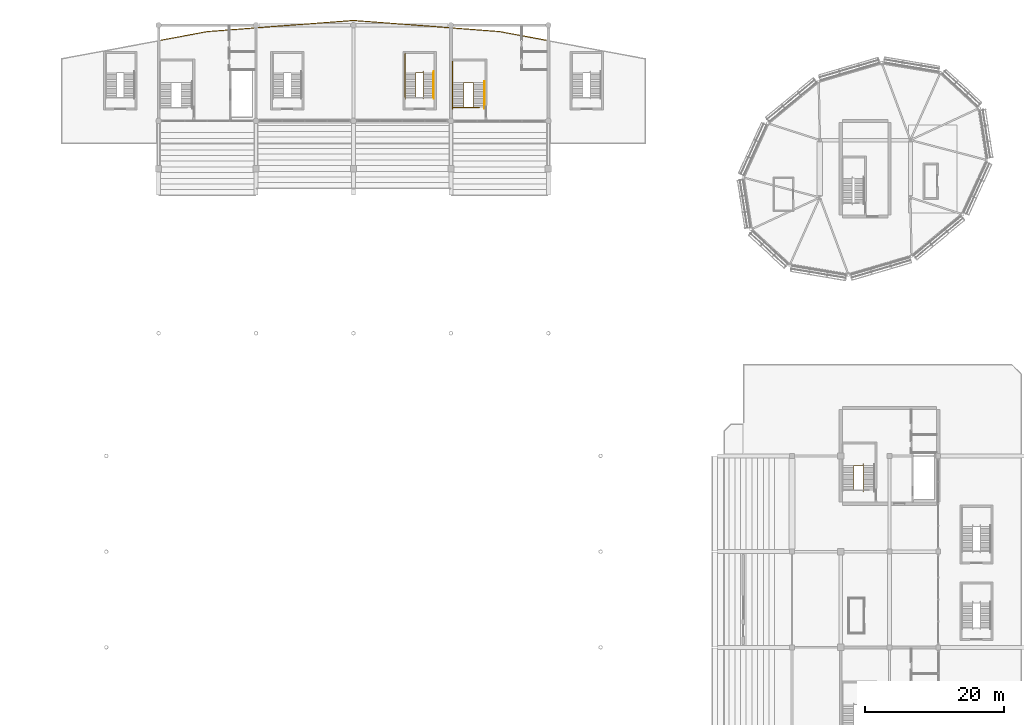
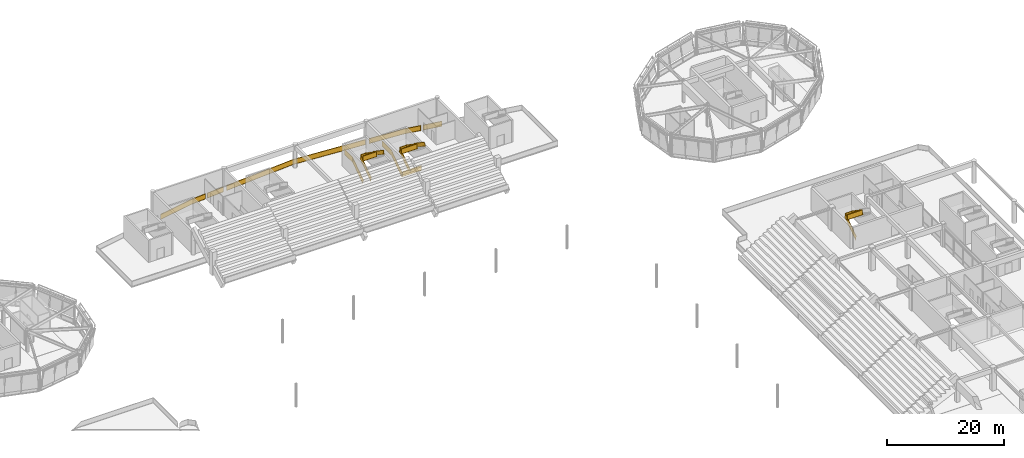
# One storey, part 92 of 94: 13 railings.
"""IFC4 building model written with IfcOpenShell, lengths in metres."""

from ifc_helpers import new_model, si_unit, direction, frame, origin, origin_2d, place, context, subcontext, project, spatial, rectangle, extrude, material, type_object, element, save


model = new_model("IFC4")

# Units and contexts
model_context = context("Model", 3, precision=1e-05, world=origin(), true_north=direction((0.0, 1.0)))
body_context = subcontext(model_context, "Body", "Model", "MODEL_VIEW")
ifc_project = project(units=[si_unit("LENGTHUNIT", "METRE"), si_unit("AREAUNIT", "SQUARE_METRE"), si_unit("VOLUMEUNIT", "CUBIC_METRE"), si_unit("PLANEANGLEUNIT", "RADIAN"), si_unit("MASSUNIT", "GRAM", prefix="KILO")], contexts=[model_context])

# Site, building, storey
site_placement = place(None, origin())
site = spatial("IfcSite", under=ifc_project, at=site_placement, CompositionType="ELEMENT")
building_placement = place(site_placement, origin())
building = spatial("IfcBuilding", under=site, at=building_placement, Name="Linyun Crest Stadium", CompositionType="ELEMENT")
storey_placement = place(building_placement, frame((0.0, 0.0, 16.199951171875)))
storey = spatial("IfcBuildingStorey", under=building, at=storey_placement, Name="L04", CompositionType="ELEMENT", Elevation=16.199951171875)

# Railings
ifc_material_1 = material(Name="Galvanized and powder-coated steel bowl safety barrier", Category="steel")
railing_type_1 = type_object("IfcRailingType", Name="GR02", PredefinedType="GUARDRAIL", material=ifc_material_1)
railing_1_placement = place(storey_placement, frame((-27.68505859375, 103.096923828125, 0.0)))
element("IfcRailing", 1, at=railing_1_placement, inside=storey, type_object=railing_type_1, Name="Slab edge balustrade GR02 215", PredefinedType="GUARDRAIL", context=body_context, shape_type="SweptSolid", body=[
    extrude(rectangle(XDim=0.06005859375, YDim=0.06005859375, at=origin_2d()), frame((0.0, 0.0, 1.090087890625), z_axis=(0.983184596967, 0.182614479947, 0.0), x_axis=(-0.182614479947, 0.983184596967, 0.0)), (0.0, 0.0, 1.0), 6.8076171875),
    extrude(rectangle(XDim=0.030029296875, YDim=1.0, at=origin_2d()), frame((0.0, 0.0, 0.56005859375), z_axis=(0.983184596967, 0.182614479947, 0.0), x_axis=(-0.182614479947, 0.983184596967, 0.0)), (0.0, 0.0, 1.0), 6.8076171875),
    extrude(rectangle(XDim=0.06005859375, YDim=0.06005859375, at=origin_2d()), frame((0.0, 0.0, 0.030029296875), z_axis=(0.983184596967, 0.182614479947, 0.0), x_axis=(-0.182614479947, 0.983184596967, 0.0)), (0.0, 0.0, 1.0), 6.8076171875),
    extrude(rectangle(XDim=0.06005859375, YDim=0.06005859375, at=origin_2d()), frame((6.693115234375, 1.2431640625, 1.090087890625), z_axis=(0.997097308753, 0.076137749365, 0.0), x_axis=(-0.076137749365, 0.997097308753, 0.0)), (0.0, 0.0, 1.0), 2.9404296875),
    extrude(rectangle(XDim=0.030029296875, YDim=1.0, at=origin_2d()), frame((6.693115234375, 1.2431640625, 0.56005859375), z_axis=(0.997097308753, 0.076137749365, 0.0), x_axis=(-0.076137749365, 0.997097308753, 0.0)), (0.0, 0.0, 1.0), 2.9404296875),
    extrude(rectangle(XDim=0.06005859375, YDim=0.06005859375, at=origin_2d()), frame((6.693115234375, 1.2431640625, 0.030029296875), z_axis=(0.997097308753, 0.076137749365, 0.0), x_axis=(-0.076137749365, 0.997097308753, 0.0)), (0.0, 0.0, 1.0), 2.9404296875),
    extrude(rectangle(XDim=0.050048828125, YDim=0.050048828125, at=origin_2d()), origin(), (0.0, 0.0, 1.0), 1.1201171875),
    extrude(rectangle(XDim=0.050048828125, YDim=0.050048828125, at=origin_2d()), frame((3.3466796875, 0.62158203125, 0.0)), (0.0, 0.0, 1.0), 1.1201171875),
    extrude(rectangle(XDim=0.050048828125, YDim=0.050048828125, at=origin_2d()), frame((6.693115234375, 1.2431640625, 0.0)), (0.0, 0.0, 1.0), 1.1201171875),
    extrude(rectangle(XDim=0.050048828125, YDim=0.050048828125, at=origin_2d()), frame((9.625, 1.467041015625, 0.0)), (0.0, 0.0, 1.0), 1.1201171875),
])
railing_2_placement = place(storey_placement, frame((-17.639892578125, 104.595947265625, 0.0)))
element("IfcRailing", 2, at=railing_2_placement, inside=storey, type_object=railing_type_1, Name="Slab edge balustrade GR02 216", PredefinedType="GUARDRAIL", context=body_context, shape_type="SweptSolid", body=[
    extrude(rectangle(XDim=0.06005859375, YDim=0.06005859375, at=origin_2d()), frame((0.0, 0.0, 1.090087890625), z_axis=(0.997113619405, 0.075923843404, 0.0), x_axis=(-0.075923843404, 0.997113619405, 0.0)), (0.0, 0.0, 1.0), 3.33447265625),
    extrude(rectangle(XDim=0.030029296875, YDim=1.0, at=origin_2d()), frame((0.0, 0.0, 0.56005859375), z_axis=(0.997113619405, 0.075923843404, 0.0), x_axis=(-0.075923843404, 0.997113619405, 0.0)), (0.0, 0.0, 1.0), 3.33447265625),
    extrude(rectangle(XDim=0.06005859375, YDim=0.06005859375, at=origin_2d()), frame((0.0, 0.0, 0.030029296875), z_axis=(0.997113619405, 0.075923843404, 0.0), x_axis=(-0.075923843404, 0.997113619405, 0.0)), (0.0, 0.0, 1.0), 3.33447265625),
    extrude(rectangle(XDim=0.050048828125, YDim=0.050048828125, at=origin_2d()), origin(), (0.0, 0.0, 1.0), 1.1201171875),
    extrude(rectangle(XDim=0.050048828125, YDim=0.050048828125, at=origin_2d()), frame((3.324951171875, 0.253173828125, 0.0)), (0.0, 0.0, 1.0), 1.1201171875),
])
railing_3_placement = place(storey_placement, frame((-13.68505859375, 104.89697265625, 0.0)))
element("IfcRailing", 3, at=railing_3_placement, inside=storey, type_object=railing_type_1, Name="Slab edge balustrade GR02 217", PredefinedType="GUARDRAIL", context=body_context, shape_type="SweptSolid", body=[
    extrude(rectangle(XDim=0.06005859375, YDim=0.06005859375, at=origin_2d()), frame((0.0, 0.0, 1.090087890625), z_axis=(0.997108438681, 0.075991851608, 0.0), x_axis=(-0.075991851608, 0.997108438681, 0.0)), (0.0, 0.0, 1.0), 13.724853515625),
    extrude(rectangle(XDim=0.030029296875, YDim=1.0, at=origin_2d()), frame((0.0, 0.0, 0.56005859375), z_axis=(0.997108438681, 0.075991851608, 0.0), x_axis=(-0.075991851608, 0.997108438681, 0.0)), (0.0, 0.0, 1.0), 13.724853515625),
    extrude(rectangle(XDim=0.06005859375, YDim=0.06005859375, at=origin_2d()), frame((0.0, 0.0, 0.030029296875), z_axis=(0.997108438681, 0.075991851608, 0.0), x_axis=(-0.075991851608, 0.997108438681, 0.0)), (0.0, 0.0, 1.0), 13.724853515625),
    extrude(rectangle(XDim=0.06005859375, YDim=0.06005859375, at=origin_2d()), frame((13.68505859375, 1.04296875, 1.090087890625), z_axis=(0.997108641419, -0.075989191382, 0.0), x_axis=(0.075989191382, 0.997108641419, 0.0)), (0.0, 0.0, 1.0), 13.699462890625),
    extrude(rectangle(XDim=0.030029296875, YDim=1.0, at=origin_2d()), frame((13.68505859375, 1.04296875, 0.56005859375), z_axis=(0.997108641419, -0.075989191382, 0.0), x_axis=(0.075989191382, 0.997108641419, 0.0)), (0.0, 0.0, 1.0), 13.699462890625),
    extrude(rectangle(XDim=0.06005859375, YDim=0.06005859375, at=origin_2d()), frame((13.68505859375, 1.04296875, 0.030029296875), z_axis=(0.997108641419, -0.075989191382, 0.0), x_axis=(0.075989191382, 0.997108641419, 0.0)), (0.0, 0.0, 1.0), 13.699462890625),
    extrude(rectangle(XDim=0.050048828125, YDim=0.050048828125, at=origin_2d()), origin(), (0.0, 0.0, 1.0), 1.1201171875),
    extrude(rectangle(XDim=0.050048828125, YDim=0.050048828125, at=origin_2d()), frame((4.561767578125, 0.34765625, 0.0)), (0.0, 0.0, 1.0), 1.1201171875),
    extrude(rectangle(XDim=0.050048828125, YDim=0.050048828125, at=origin_2d()), frame((9.123291015625, 0.6953125, 0.0)), (0.0, 0.0, 1.0), 1.1201171875),
    extrude(rectangle(XDim=0.050048828125, YDim=0.050048828125, at=origin_2d()), frame((13.68505859375, 1.04296875, 0.0)), (0.0, 0.0, 1.0), 1.1201171875),
    extrude(rectangle(XDim=0.050048828125, YDim=0.050048828125, at=origin_2d()), frame((18.23828125, 0.696044921875, 0.0)), (0.0, 0.0, 1.0), 1.1201171875),
    extrude(rectangle(XDim=0.050048828125, YDim=0.050048828125, at=origin_2d()), frame((22.791748046875, 0.348876953125, 0.0)), (0.0, 0.0, 1.0), 1.1201171875),
    extrude(rectangle(XDim=0.050048828125, YDim=0.050048828125, at=origin_2d()), frame((27.344970703125, 0.001953125, 0.0)), (0.0, 0.0, 1.0), 1.1201171875),
])
railing_4_placement = place(storey_placement, frame((14.340087890625, 104.846923828125, 0.0)))
element("IfcRailing", 4, at=railing_4_placement, inside=storey, type_object=railing_type_1, Name="Slab edge balustrade GR02 218", PredefinedType="GUARDRAIL", context=body_context, shape_type="SweptSolid", body=[
    extrude(rectangle(XDim=0.06005859375, YDim=0.06005859375, at=origin_2d()), frame((0.0, 0.0, 1.090087890625), z_axis=(0.997109764724, -0.075974450252, 0.0), x_axis=(0.075974450252, 0.997109764724, 0.0)), (0.0, 0.0, 1.0), 6.671142578125),
    extrude(rectangle(XDim=0.030029296875, YDim=1.0, at=origin_2d()), frame((0.0, 0.0, 0.56005859375), z_axis=(0.997109764724, -0.075974450252, 0.0), x_axis=(0.075974450252, 0.997109764724, 0.0)), (0.0, 0.0, 1.0), 6.671142578125),
    extrude(rectangle(XDim=0.06005859375, YDim=0.06005859375, at=origin_2d()), frame((0.0, 0.0, 0.030029296875), z_axis=(0.997109764724, -0.075974450252, 0.0), x_axis=(0.075974450252, 0.997109764724, 0.0)), (0.0, 0.0, 1.0), 6.671142578125),
    extrude(rectangle(XDim=0.06005859375, YDim=0.06005859375, at=origin_2d()), frame((6.65185546875, -0.5068359375, 1.090087890625), z_axis=(0.983210655512, -0.182474126625, 0.0), x_axis=(0.182474126625, 0.983210655512, 0.0)), (0.0, 0.0, 1.0), 2.998291015625),
    extrude(rectangle(XDim=0.030029296875, YDim=1.0, at=origin_2d()), frame((6.65185546875, -0.5068359375, 0.56005859375), z_axis=(0.983210655512, -0.182474126625, 0.0), x_axis=(0.182474126625, 0.983210655512, 0.0)), (0.0, 0.0, 1.0), 2.998291015625),
    extrude(rectangle(XDim=0.06005859375, YDim=0.06005859375, at=origin_2d()), frame((6.65185546875, -0.5068359375, 0.030029296875), z_axis=(0.983210655512, -0.182474126625, 0.0), x_axis=(0.182474126625, 0.983210655512, 0.0)), (0.0, 0.0, 1.0), 2.998291015625),
    extrude(rectangle(XDim=0.050048828125, YDim=0.050048828125, at=origin_2d()), origin(), (0.0, 0.0, 1.0), 1.1201171875),
    extrude(rectangle(XDim=0.050048828125, YDim=0.050048828125, at=origin_2d()), frame((3.325927734375, -0.25341796875, 0.0)), (0.0, 0.0, 1.0), 1.1201171875),
    extrude(rectangle(XDim=0.050048828125, YDim=0.050048828125, at=origin_2d()), frame((6.65185546875, -0.5068359375, 0.0)), (0.0, 0.0, 1.0), 1.1201171875),
    extrude(rectangle(XDim=0.050048828125, YDim=0.050048828125, at=origin_2d()), frame((9.599853515625, -1.053955078125, 0.0)), (0.0, 0.0, 1.0), 1.1201171875),
])
railing_5_placement = place(storey_placement, frame((24.360107421875, 103.715087890625, 0.0)))
element("IfcRailing", 5, at=railing_5_placement, inside=storey, type_object=railing_type_1, Name="Slab edge balustrade GR02 219", PredefinedType="GUARDRAIL", context=body_context, shape_type="SweptSolid", body=[
    extrude(rectangle(XDim=0.06005859375, YDim=0.06005859375, at=origin_2d()), frame((0.0, 0.0, 1.090087890625), z_axis=(0.983177167753, -0.182654473826, 0.0), x_axis=(0.182654473826, 0.983177167753, 0.0)), (0.0, 0.0, 1.0), 3.356201171875),
    extrude(rectangle(XDim=0.030029296875, YDim=1.0, at=origin_2d()), frame((0.0, 0.0, 0.56005859375), z_axis=(0.983177167753, -0.182654473826, 0.0), x_axis=(0.182654473826, 0.983177167753, 0.0)), (0.0, 0.0, 1.0), 3.356201171875),
    extrude(rectangle(XDim=0.06005859375, YDim=0.06005859375, at=origin_2d()), frame((0.0, 0.0, 0.030029296875), z_axis=(0.983177167753, -0.182654473826, 0.0), x_axis=(0.182654473826, 0.983177167753, 0.0)), (0.0, 0.0, 1.0), 3.356201171875),
    extrude(rectangle(XDim=0.050048828125, YDim=0.050048828125, at=origin_2d()), origin(), (0.0, 0.0, 1.0), 1.1201171875),
    extrude(rectangle(XDim=0.050048828125, YDim=0.050048828125, at=origin_2d()), frame((3.2998046875, -0.613037109375, 0.0)), (0.0, 0.0, 1.0), 1.1201171875),
])
railing_6_placement = place(storey_placement, frame((14.340087890625, 93.4599609375, 0.0)))
element("IfcRailing", 6, at=railing_6_placement, inside=storey, type_object=railing_type_1, Name="Slab edge balustrade GR02 223", PredefinedType="GUARDRAIL", context=body_context, shape_type="SweptSolid", body=[
    extrude(rectangle(XDim=0.06005859375, YDim=0.06005859375, at=origin_2d()), frame((0.0, 0.0, 1.090087890625), z_axis=(1.0, 0.0, 0.0), x_axis=(0.0, 1.0, 0.0)), (0.0, 0.0, 1.0), 3.760009765625),
    extrude(rectangle(XDim=0.030029296875, YDim=1.0, at=origin_2d()), frame((0.0, 0.0, 0.56005859375), z_axis=(1.0, 0.0, 0.0), x_axis=(0.0, 1.0, 0.0)), (0.0, 0.0, 1.0), 3.760009765625),
    extrude(rectangle(XDim=0.06005859375, YDim=0.06005859375, at=origin_2d()), frame((0.0, 0.0, 0.030029296875), z_axis=(1.0, 0.0, 0.0), x_axis=(0.0, 1.0, 0.0)), (0.0, 0.0, 1.0), 3.760009765625),
    extrude(rectangle(XDim=0.050048828125, YDim=0.050048828125, at=origin_2d()), origin(), (0.0, 0.0, 1.0), 1.1201171875),
    extrude(rectangle(XDim=0.050048828125, YDim=0.050048828125, at=origin_2d()), frame((3.760009765625, 0.0, 0.0)), (0.0, 0.0, 1.0), 1.1201171875),
])
ifc_material_2 = material(Name="Painted steel stairwell safety guard", Category="steel")
railing_type_2 = type_object("IfcRailingType", Name="GR03", PredefinedType="GUARDRAIL", material=ifc_material_2)
railing_7_placement = place(storey_placement, frame((71.89501953125, 38.469970703125, 0.0)))
element("IfcRailing", 7, at=railing_7_placement, inside=storey, type_object=railing_type_2, Name="STR-06-L04 inner well guard", PredefinedType="GUARDRAIL", context=body_context, shape_type="SweptSolid", body=[
    extrude(rectangle(XDim=0.06005859375, YDim=0.06005859375, at=origin_2d()), frame((0.0, 0.0, 1.090087890625), z_axis=(0.0, 0.826212794201, 0.563358162005), x_axis=(-1.0, 0.0, 0.0)), (0.0, 0.0, 1.0), 4.260498046875),
    extrude(rectangle(XDim=0.030029296875, YDim=1.0, at=origin_2d()), frame((0.0, 0.0, 0.56005859375), z_axis=(0.0, 0.826212794201, 0.563358162005), x_axis=(-1.0, 0.0, 0.0)), (0.0, 0.0, 1.0), 4.260498046875),
    extrude(rectangle(XDim=0.06005859375, YDim=0.06005859375, at=origin_2d()), frame((0.0, 0.0, 0.030029296875), z_axis=(0.0, 0.826212794201, 0.563358162005), x_axis=(-1.0, 0.0, 0.0)), (0.0, 0.0, 1.0), 4.260498046875),
    extrude(rectangle(XDim=0.06005859375, YDim=0.06005859375, at=origin_2d()), frame((0.0, 3.52001953125, 3.490234375), z_axis=(1.0, 0.0, 0.0), x_axis=(0.0, 1.0, 0.0)), (0.0, 0.0, 1.0), 1.3349609375),
    extrude(rectangle(XDim=0.030029296875, YDim=1.0, at=origin_2d()), frame((0.0, 3.52001953125, 2.960205078125), z_axis=(1.0, 0.0, 0.0), x_axis=(0.0, 1.0, 0.0)), (0.0, 0.0, 1.0), 1.3349609375),
    extrude(rectangle(XDim=0.06005859375, YDim=0.06005859375, at=origin_2d()), frame((0.0, 3.52001953125, 2.43017578125), z_axis=(1.0, 0.0, 0.0), x_axis=(0.0, 1.0, 0.0)), (0.0, 0.0, 1.0), 1.3349609375),
    extrude(rectangle(XDim=0.06005859375, YDim=0.06005859375, at=origin_2d()), frame((1.3349609375, 3.52001953125, 3.490234375), z_axis=(0.0, -0.826239466617, 0.563319042644), x_axis=(1.0, 0.0, 0.0)), (0.0, 0.0, 1.0), 4.26025390625),
    extrude(rectangle(XDim=0.030029296875, YDim=1.0, at=origin_2d()), frame((1.3349609375, 3.52001953125, 2.960205078125), z_axis=(0.0, -0.826239466617, 0.563319042644), x_axis=(1.0, 0.0, 0.0)), (0.0, 0.0, 1.0), 4.26025390625),
    extrude(rectangle(XDim=0.06005859375, YDim=0.06005859375, at=origin_2d()), frame((1.3349609375, 3.52001953125, 2.43017578125), z_axis=(0.0, -0.826239466617, 0.563319042644), x_axis=(1.0, 0.0, 0.0)), (0.0, 0.0, 1.0), 4.26025390625),
    extrude(rectangle(XDim=0.06005859375, YDim=0.06005859375, at=origin_2d()), frame((1.3349609375, 0.0, 5.89013671875), z_axis=(-1.0, 0.0, 0.0), x_axis=(0.0, -1.0, 0.0)), (0.0, 0.0, 1.0), 2.98486328125),
    extrude(rectangle(XDim=0.030029296875, YDim=1.0, at=origin_2d()), frame((1.3349609375, 0.0, 5.360107421875), z_axis=(-1.0, 0.0, 0.0), x_axis=(0.0, -1.0, 0.0)), (0.0, 0.0, 1.0), 2.98486328125),
    extrude(rectangle(XDim=0.06005859375, YDim=0.06005859375, at=origin_2d()), frame((1.3349609375, 0.0, 4.830078125), z_axis=(-1.0, 0.0, 0.0), x_axis=(0.0, -1.0, 0.0)), (0.0, 0.0, 1.0), 2.98486328125),
    extrude(rectangle(XDim=0.050048828125, YDim=0.050048828125, at=origin_2d()), origin(), (0.0, 0.0, 1.0), 1.1201171875),
    extrude(rectangle(XDim=0.050048828125, YDim=0.050048828125, at=origin_2d()), frame((0.0, 1.17333984375, 0.800048828125)), (0.0, 0.0, 1.0), 1.1201171875),
    extrude(rectangle(XDim=0.050048828125, YDim=0.050048828125, at=origin_2d()), frame((0.0, 2.3466796875, 1.60009765625)), (0.0, 0.0, 1.0), 1.1201171875),
    extrude(rectangle(XDim=0.050048828125, YDim=0.050048828125, at=origin_2d()), frame((0.0, 3.52001953125, 2.400146484375)), (0.0, 0.0, 1.0), 1.1201171875),
    extrude(rectangle(XDim=0.050048828125, YDim=0.050048828125, at=origin_2d()), frame((1.3349609375, 3.52001953125, 2.400146484375)), (0.0, 0.0, 1.0), 1.1201171875),
    extrude(rectangle(XDim=0.050048828125, YDim=0.050048828125, at=origin_2d()), frame((1.3349609375, 2.3466796875, 3.2001953125)), (0.0, 0.0, 1.0), 1.1201171875),
    extrude(rectangle(XDim=0.050048828125, YDim=0.050048828125, at=origin_2d()), frame((1.3349609375, 1.17333984375, 4.0)), (0.0, 0.0, 1.0), 1.1201171875),
    extrude(rectangle(XDim=0.050048828125, YDim=0.050048828125, at=origin_2d()), frame((1.3349609375, 0.0, 4.800048828125)), (0.0, 0.0, 1.0), 1.1201171875),
    extrude(rectangle(XDim=0.050048828125, YDim=0.050048828125, at=origin_2d()), frame((-0.157470703125, 0.0, 4.800048828125)), (0.0, 0.0, 1.0), 1.1201171875),
    extrude(rectangle(XDim=0.050048828125, YDim=0.050048828125, at=origin_2d()), frame((-1.64990234375, 0.0, 4.800048828125)), (0.0, 0.0, 1.0), 1.1201171875),
])
railing_8_placement = place(storey_placement, frame((14.22998046875, 93.489990234375, 0.0)))
element("IfcRailing", 8, at=railing_8_placement, inside=storey, type_object=railing_type_2, Name="STR-08-L04 outer guard", PredefinedType="GUARDRAIL", context=body_context, shape_type="SweptSolid", body=[
    extrude(rectangle(XDim=0.06005859375, YDim=0.06005859375, at=origin_2d()), frame((0.0, 0.0, 1.090087890625), z_axis=(0.0, 0.824712752785, 0.565551832633), x_axis=(-1.0, 0.0, 0.0)), (0.0, 0.0, 1.0), 4.243896484375),
    extrude(rectangle(XDim=0.030029296875, YDim=1.0, at=origin_2d()), frame((0.0, 0.0, 0.56005859375), z_axis=(0.0, 0.824712752785, 0.565551832633), x_axis=(-1.0, 0.0, 0.0)), (0.0, 0.0, 1.0), 4.243896484375),
    extrude(rectangle(XDim=0.06005859375, YDim=0.06005859375, at=origin_2d()), frame((0.0, 0.0, 0.030029296875), z_axis=(0.0, 0.824712752785, 0.565551832633), x_axis=(-1.0, 0.0, 0.0)), (0.0, 0.0, 1.0), 4.243896484375),
    extrude(rectangle(XDim=0.06005859375, YDim=0.06005859375, at=origin_2d()), frame((0.0, 3.5, 3.490234375), z_axis=(0.0, 1.0, 0.0), x_axis=(-1.0, 0.0, 0.0)), (0.0, 0.0, 1.0), 3.080078125),
    extrude(rectangle(XDim=0.030029296875, YDim=1.0, at=origin_2d()), frame((0.0, 3.5, 2.960205078125), z_axis=(0.0, 1.0, 0.0), x_axis=(-1.0, 0.0, 0.0)), (0.0, 0.0, 1.0), 3.080078125),
    extrude(rectangle(XDim=0.06005859375, YDim=0.06005859375, at=origin_2d()), frame((0.0, 3.5, 2.43017578125), z_axis=(0.0, 1.0, 0.0), x_axis=(-1.0, 0.0, 0.0)), (0.0, 0.0, 1.0), 3.080078125),
    extrude(rectangle(XDim=0.050048828125, YDim=0.050048828125, at=origin_2d()), origin(), (0.0, 0.0, 1.0), 1.1201171875),
    extrude(rectangle(XDim=0.050048828125, YDim=0.050048828125, at=origin_2d()), frame((0.0, 1.166748046875, 0.800048828125)), (0.0, 0.0, 1.0), 1.1201171875),
    extrude(rectangle(XDim=0.050048828125, YDim=0.050048828125, at=origin_2d()), frame((0.0, 2.333251953125, 1.60009765625)), (0.0, 0.0, 1.0), 1.1201171875),
    extrude(rectangle(XDim=0.050048828125, YDim=0.050048828125, at=origin_2d()), frame((0.0, 3.5, 2.400146484375)), (0.0, 0.0, 1.0), 1.1201171875),
    extrude(rectangle(XDim=0.050048828125, YDim=0.050048828125, at=origin_2d()), frame((0.0, 5.0400390625, 2.400146484375)), (0.0, 0.0, 1.0), 1.1201171875),
    extrude(rectangle(XDim=0.050048828125, YDim=0.050048828125, at=origin_2d()), frame((0.0, 6.580078125, 2.400146484375)), (0.0, 0.0, 1.0), 1.1201171875),
])
railing_9_placement = place(storey_placement, frame((15.8701171875, 93.469970703125, 0.0)))
element("IfcRailing", 9, at=railing_9_placement, inside=storey, type_object=railing_type_2, Name="STR-08-L04 inner well guard", PredefinedType="GUARDRAIL", context=body_context, shape_type="SweptSolid", body=[
    extrude(rectangle(XDim=0.06005859375, YDim=0.06005859375, at=origin_2d()), frame((0.0, 0.0, 1.090087890625), z_axis=(0.0, 0.826212794201, 0.563358162005), x_axis=(-1.0, 0.0, 0.0)), (0.0, 0.0, 1.0), 4.260498046875),
    extrude(rectangle(XDim=0.030029296875, YDim=1.0, at=origin_2d()), frame((0.0, 0.0, 0.56005859375), z_axis=(0.0, 0.826212794201, 0.563358162005), x_axis=(-1.0, 0.0, 0.0)), (0.0, 0.0, 1.0), 4.260498046875),
    extrude(rectangle(XDim=0.06005859375, YDim=0.06005859375, at=origin_2d()), frame((0.0, 0.0, 0.030029296875), z_axis=(0.0, 0.826212794201, 0.563358162005), x_axis=(-1.0, 0.0, 0.0)), (0.0, 0.0, 1.0), 4.260498046875),
    extrude(rectangle(XDim=0.06005859375, YDim=0.06005859375, at=origin_2d()), frame((0.0, 3.52001953125, 3.490234375), z_axis=(1.0, 0.0, 0.0), x_axis=(0.0, 1.0, 0.0)), (0.0, 0.0, 1.0), 1.35986328125),
    extrude(rectangle(XDim=0.030029296875, YDim=1.0, at=origin_2d()), frame((0.0, 3.52001953125, 2.960205078125), z_axis=(1.0, 0.0, 0.0), x_axis=(0.0, 1.0, 0.0)), (0.0, 0.0, 1.0), 1.35986328125),
    extrude(rectangle(XDim=0.06005859375, YDim=0.06005859375, at=origin_2d()), frame((0.0, 3.52001953125, 2.43017578125), z_axis=(1.0, 0.0, 0.0), x_axis=(0.0, 1.0, 0.0)), (0.0, 0.0, 1.0), 1.35986328125),
    extrude(rectangle(XDim=0.06005859375, YDim=0.06005859375, at=origin_2d()), frame((1.35986328125, 3.52001953125, 3.490234375), z_axis=(0.0, -0.826239466617, 0.563319042644), x_axis=(1.0, 0.0, 0.0)), (0.0, 0.0, 1.0), 4.26025390625),
    extrude(rectangle(XDim=0.030029296875, YDim=1.0, at=origin_2d()), frame((1.35986328125, 3.52001953125, 2.960205078125), z_axis=(0.0, -0.826239466617, 0.563319042644), x_axis=(1.0, 0.0, 0.0)), (0.0, 0.0, 1.0), 4.26025390625),
    extrude(rectangle(XDim=0.06005859375, YDim=0.06005859375, at=origin_2d()), frame((1.35986328125, 3.52001953125, 2.43017578125), z_axis=(0.0, -0.826239466617, 0.563319042644), x_axis=(1.0, 0.0, 0.0)), (0.0, 0.0, 1.0), 4.26025390625),
    extrude(rectangle(XDim=0.06005859375, YDim=0.06005859375, at=origin_2d()), frame((1.35986328125, 0.0, 5.89013671875), z_axis=(-1.0, 0.0, 0.0), x_axis=(0.0, -1.0, 0.0)), (0.0, 0.0, 1.0), 3.010009765625),
    extrude(rectangle(XDim=0.030029296875, YDim=1.0, at=origin_2d()), frame((1.35986328125, 0.0, 5.360107421875), z_axis=(-1.0, 0.0, 0.0), x_axis=(0.0, -1.0, 0.0)), (0.0, 0.0, 1.0), 3.010009765625),
    extrude(rectangle(XDim=0.06005859375, YDim=0.06005859375, at=origin_2d()), frame((1.35986328125, 0.0, 4.830078125), z_axis=(-1.0, 0.0, 0.0), x_axis=(0.0, -1.0, 0.0)), (0.0, 0.0, 1.0), 3.010009765625),
    extrude(rectangle(XDim=0.050048828125, YDim=0.050048828125, at=origin_2d()), origin(), (0.0, 0.0, 1.0), 1.1201171875),
    extrude(rectangle(XDim=0.050048828125, YDim=0.050048828125, at=origin_2d()), frame((0.0, 1.17333984375, 0.800048828125)), (0.0, 0.0, 1.0), 1.1201171875),
    extrude(rectangle(XDim=0.050048828125, YDim=0.050048828125, at=origin_2d()), frame((0.0, 2.3466796875, 1.60009765625)), (0.0, 0.0, 1.0), 1.1201171875),
    extrude(rectangle(XDim=0.050048828125, YDim=0.050048828125, at=origin_2d()), frame((0.0, 3.52001953125, 2.400146484375)), (0.0, 0.0, 1.0), 1.1201171875),
    extrude(rectangle(XDim=0.050048828125, YDim=0.050048828125, at=origin_2d()), frame((1.35986328125, 3.52001953125, 2.400146484375)), (0.0, 0.0, 1.0), 1.1201171875),
    extrude(rectangle(XDim=0.050048828125, YDim=0.050048828125, at=origin_2d()), frame((1.35986328125, 2.3466796875, 3.2001953125)), (0.0, 0.0, 1.0), 1.1201171875),
    extrude(rectangle(XDim=0.050048828125, YDim=0.050048828125, at=origin_2d()), frame((1.35986328125, 1.17333984375, 4.0)), (0.0, 0.0, 1.0), 1.1201171875),
    extrude(rectangle(XDim=0.050048828125, YDim=0.050048828125, at=origin_2d()), frame((1.35986328125, 0.0, 4.800048828125)), (0.0, 0.0, 1.0), 1.1201171875),
    extrude(rectangle(XDim=0.050048828125, YDim=0.050048828125, at=origin_2d()), frame((-0.14501953125, 0.0, 4.800048828125)), (0.0, 0.0, 1.0), 1.1201171875),
    extrude(rectangle(XDim=0.050048828125, YDim=0.050048828125, at=origin_2d()), frame((-1.650146484375, 0.0, 4.800048828125)), (0.0, 0.0, 1.0), 1.1201171875),
])
railing_10_placement = place(storey_placement, frame((7.429931640625, 94.919921875, 0.0)))
element("IfcRailing", 10, at=railing_10_placement, inside=storey, type_object=railing_type_2, Name="STR-25-L04 outer guard", PredefinedType="GUARDRAIL", context=body_context, shape_type="SweptSolid", body=[
    extrude(rectangle(XDim=0.06005859375, YDim=0.06005859375, at=origin_2d()), frame((0.0, 0.0, 1.090087890625), z_axis=(0.0, 0.824712752785, 0.565551832633), x_axis=(-1.0, 0.0, 0.0)), (0.0, 0.0, 1.0), 4.243896484375),
    extrude(rectangle(XDim=0.030029296875, YDim=1.0, at=origin_2d()), frame((0.0, 0.0, 0.56005859375), z_axis=(0.0, 0.824712752785, 0.565551832633), x_axis=(-1.0, 0.0, 0.0)), (0.0, 0.0, 1.0), 4.243896484375),
    extrude(rectangle(XDim=0.06005859375, YDim=0.06005859375, at=origin_2d()), frame((0.0, 0.0, 0.030029296875), z_axis=(0.0, 0.824712752785, 0.565551832633), x_axis=(-1.0, 0.0, 0.0)), (0.0, 0.0, 1.0), 4.243896484375),
    extrude(rectangle(XDim=0.06005859375, YDim=0.06005859375, at=origin_2d()), frame((0.0, 3.5, 3.490234375), z_axis=(0.0, 1.0, 0.0), x_axis=(-1.0, 0.0, 0.0)), (0.0, 0.0, 1.0), 2.75),
    extrude(rectangle(XDim=0.030029296875, YDim=1.0, at=origin_2d()), frame((0.0, 3.5, 2.960205078125), z_axis=(0.0, 1.0, 0.0), x_axis=(-1.0, 0.0, 0.0)), (0.0, 0.0, 1.0), 2.75),
    extrude(rectangle(XDim=0.06005859375, YDim=0.06005859375, at=origin_2d()), frame((0.0, 3.5, 2.43017578125), z_axis=(0.0, 1.0, 0.0), x_axis=(-1.0, 0.0, 0.0)), (0.0, 0.0, 1.0), 2.75),
    extrude(rectangle(XDim=0.050048828125, YDim=0.050048828125, at=origin_2d()), origin(), (0.0, 0.0, 1.0), 1.1201171875),
    extrude(rectangle(XDim=0.050048828125, YDim=0.050048828125, at=origin_2d()), frame((0.0, 1.166748046875, 0.800048828125)), (0.0, 0.0, 1.0), 1.1201171875),
    extrude(rectangle(XDim=0.050048828125, YDim=0.050048828125, at=origin_2d()), frame((0.0, 2.333251953125, 1.60009765625)), (0.0, 0.0, 1.0), 1.1201171875),
    extrude(rectangle(XDim=0.050048828125, YDim=0.050048828125, at=origin_2d()), frame((0.0, 3.5, 2.400146484375)), (0.0, 0.0, 1.0), 1.1201171875),
    extrude(rectangle(XDim=0.050048828125, YDim=0.050048828125, at=origin_2d()), frame((0.0, 4.875, 2.400146484375)), (0.0, 0.0, 1.0), 1.1201171875),
    extrude(rectangle(XDim=0.050048828125, YDim=0.050048828125, at=origin_2d()), frame((0.0, 6.25, 2.400146484375)), (0.0, 0.0, 1.0), 1.1201171875),
])
railing_11_placement = place(storey_placement, frame((8.969970703125, 94.89990234375, 0.0)))
element("IfcRailing", 11, at=railing_11_placement, inside=storey, type_object=railing_type_2, Name="STR-25-L04 inner well guard", PredefinedType="GUARDRAIL", context=body_context, shape_type="SweptSolid", body=[
    extrude(rectangle(XDim=0.06005859375, YDim=0.06005859375, at=origin_2d()), frame((0.0, 0.0, 1.090087890625), z_axis=(0.0, 0.826212794201, 0.563358162005), x_axis=(-1.0, 0.0, 0.0)), (0.0, 0.0, 1.0), 4.260498046875),
    extrude(rectangle(XDim=0.030029296875, YDim=1.0, at=origin_2d()), frame((0.0, 0.0, 0.56005859375), z_axis=(0.0, 0.826212794201, 0.563358162005), x_axis=(-1.0, 0.0, 0.0)), (0.0, 0.0, 1.0), 4.260498046875),
    extrude(rectangle(XDim=0.06005859375, YDim=0.06005859375, at=origin_2d()), frame((0.0, 0.0, 0.030029296875), z_axis=(0.0, 0.826212794201, 0.563358162005), x_axis=(-1.0, 0.0, 0.0)), (0.0, 0.0, 1.0), 4.260498046875),
    extrude(rectangle(XDim=0.06005859375, YDim=0.06005859375, at=origin_2d()), frame((0.0, 3.52001953125, 3.490234375), z_axis=(1.0, 0.0, 0.0), x_axis=(0.0, 1.0, 0.0)), (0.0, 0.0, 1.0), 1.06005859375),
    extrude(rectangle(XDim=0.030029296875, YDim=1.0, at=origin_2d()), frame((0.0, 3.52001953125, 2.960205078125), z_axis=(1.0, 0.0, 0.0), x_axis=(0.0, 1.0, 0.0)), (0.0, 0.0, 1.0), 1.06005859375),
    extrude(rectangle(XDim=0.06005859375, YDim=0.06005859375, at=origin_2d()), frame((0.0, 3.52001953125, 2.43017578125), z_axis=(1.0, 0.0, 0.0), x_axis=(0.0, 1.0, 0.0)), (0.0, 0.0, 1.0), 1.06005859375),
    extrude(rectangle(XDim=0.06005859375, YDim=0.06005859375, at=origin_2d()), frame((1.06005859375, 3.52001953125, 3.490234375), z_axis=(0.0, -0.826239466617, 0.563319042644), x_axis=(1.0, 0.0, 0.0)), (0.0, 0.0, 1.0), 4.26025390625),
    extrude(rectangle(XDim=0.030029296875, YDim=1.0, at=origin_2d()), frame((1.06005859375, 3.52001953125, 2.960205078125), z_axis=(0.0, -0.826239466617, 0.563319042644), x_axis=(1.0, 0.0, 0.0)), (0.0, 0.0, 1.0), 4.26025390625),
    extrude(rectangle(XDim=0.06005859375, YDim=0.06005859375, at=origin_2d()), frame((1.06005859375, 3.52001953125, 2.43017578125), z_axis=(0.0, -0.826239466617, 0.563319042644), x_axis=(1.0, 0.0, 0.0)), (0.0, 0.0, 1.0), 4.26025390625),
    extrude(rectangle(XDim=0.06005859375, YDim=0.06005859375, at=origin_2d()), frame((1.06005859375, 0.0, 5.89013671875), z_axis=(-1.0, 0.0, 0.0), x_axis=(0.0, -1.0, 0.0)), (0.0, 0.0, 1.0), 2.610107421875),
    extrude(rectangle(XDim=0.030029296875, YDim=1.0, at=origin_2d()), frame((1.06005859375, 0.0, 5.360107421875), z_axis=(-1.0, 0.0, 0.0), x_axis=(0.0, -1.0, 0.0)), (0.0, 0.0, 1.0), 2.610107421875),
    extrude(rectangle(XDim=0.06005859375, YDim=0.06005859375, at=origin_2d()), frame((1.06005859375, 0.0, 4.830078125), z_axis=(-1.0, 0.0, 0.0), x_axis=(0.0, -1.0, 0.0)), (0.0, 0.0, 1.0), 2.610107421875),
    extrude(rectangle(XDim=0.050048828125, YDim=0.050048828125, at=origin_2d()), origin(), (0.0, 0.0, 1.0), 1.1201171875),
    extrude(rectangle(XDim=0.050048828125, YDim=0.050048828125, at=origin_2d()), frame((0.0, 1.17333984375, 0.800048828125)), (0.0, 0.0, 1.0), 1.1201171875),
    extrude(rectangle(XDim=0.050048828125, YDim=0.050048828125, at=origin_2d()), frame((0.0, 2.3466796875, 1.60009765625)), (0.0, 0.0, 1.0), 1.1201171875),
    extrude(rectangle(XDim=0.050048828125, YDim=0.050048828125, at=origin_2d()), frame((0.0, 3.52001953125, 2.400146484375)), (0.0, 0.0, 1.0), 1.1201171875),
    extrude(rectangle(XDim=0.050048828125, YDim=0.050048828125, at=origin_2d()), frame((1.06005859375, 3.52001953125, 2.400146484375)), (0.0, 0.0, 1.0), 1.1201171875),
    extrude(rectangle(XDim=0.050048828125, YDim=0.050048828125, at=origin_2d()), frame((1.06005859375, 2.3466796875, 3.2001953125)), (0.0, 0.0, 1.0), 1.1201171875),
    extrude(rectangle(XDim=0.050048828125, YDim=0.050048828125, at=origin_2d()), frame((1.06005859375, 1.17333984375, 4.0)), (0.0, 0.0, 1.0), 1.1201171875),
    extrude(rectangle(XDim=0.050048828125, YDim=0.050048828125, at=origin_2d()), frame((1.06005859375, 0.0, 4.800048828125)), (0.0, 0.0, 1.0), 1.1201171875),
    extrude(rectangle(XDim=0.050048828125, YDim=0.050048828125, at=origin_2d()), frame((-0.2451171875, 0.0, 4.800048828125)), (0.0, 0.0, 1.0), 1.1201171875),
    extrude(rectangle(XDim=0.050048828125, YDim=0.050048828125, at=origin_2d()), frame((-1.550048828125, 0.0, 4.800048828125)), (0.0, 0.0, 1.0), 1.1201171875),
])
ifc_material_3 = material(Name="Brushed stainless steel tubular handrail", Category="steel")
railing_type_3 = type_object("IfcRailingType", Name="HR01", PredefinedType="HANDRAIL", material=ifc_material_3)
for number, where, name in (
    (12, (18.820068359375, 96.989990234375, 2.400146484375), "STR-08-L04 handrail"),
    (13, (11.52001953125, 98.419921875, 2.400146484375), "STR-25-L04 handrail"),
):
    element("IfcRailing", number, at=place(storey_placement, frame(where)), inside=storey, type_object=railing_type_3, Name=name, PredefinedType="HANDRAIL", context=body_context, shape_type="SweptSolid", body=[
        extrude(rectangle(XDim=0.06005859375, YDim=0.06005859375, at=origin_2d()), frame((0.0, 0.0, 0.889892578125), z_axis=(0.0, -0.824739584531, 0.5655127034), x_axis=(1.0, 0.0, 0.0)), (0.0, 0.0, 1.0), 4.24365234375),
        extrude(rectangle(XDim=0.030029296875, YDim=0.7998046875, at=origin_2d()), frame((0.0, 0.0, 0.4599609375), z_axis=(0.0, -0.824739584531, 0.5655127034), x_axis=(1.0, 0.0, 0.0)), (0.0, 0.0, 1.0), 4.24365234375),
        extrude(rectangle(XDim=0.06005859375, YDim=0.06005859375, at=origin_2d()), frame((0.0, 0.0, 0.030029296875), z_axis=(0.0, -0.824739584531, 0.5655127034), x_axis=(1.0, 0.0, 0.0)), (0.0, 0.0, 1.0), 4.24365234375),
        extrude(rectangle(XDim=0.050048828125, YDim=0.050048828125, at=origin_2d()), origin(), (0.0, 0.0, 1.0), 0.919921875),
        extrude(rectangle(XDim=0.050048828125, YDim=0.050048828125, at=origin_2d()), frame((0.0, -1.75, 1.199951171875)), (0.0, 0.0, 1.0), 0.919921875),
        extrude(rectangle(XDim=0.050048828125, YDim=0.050048828125, at=origin_2d()), frame((0.0, -3.5, 2.39990234375)), (0.0, 0.0, 1.0), 0.919921875),
    ])

save(model, "model.ifc")
